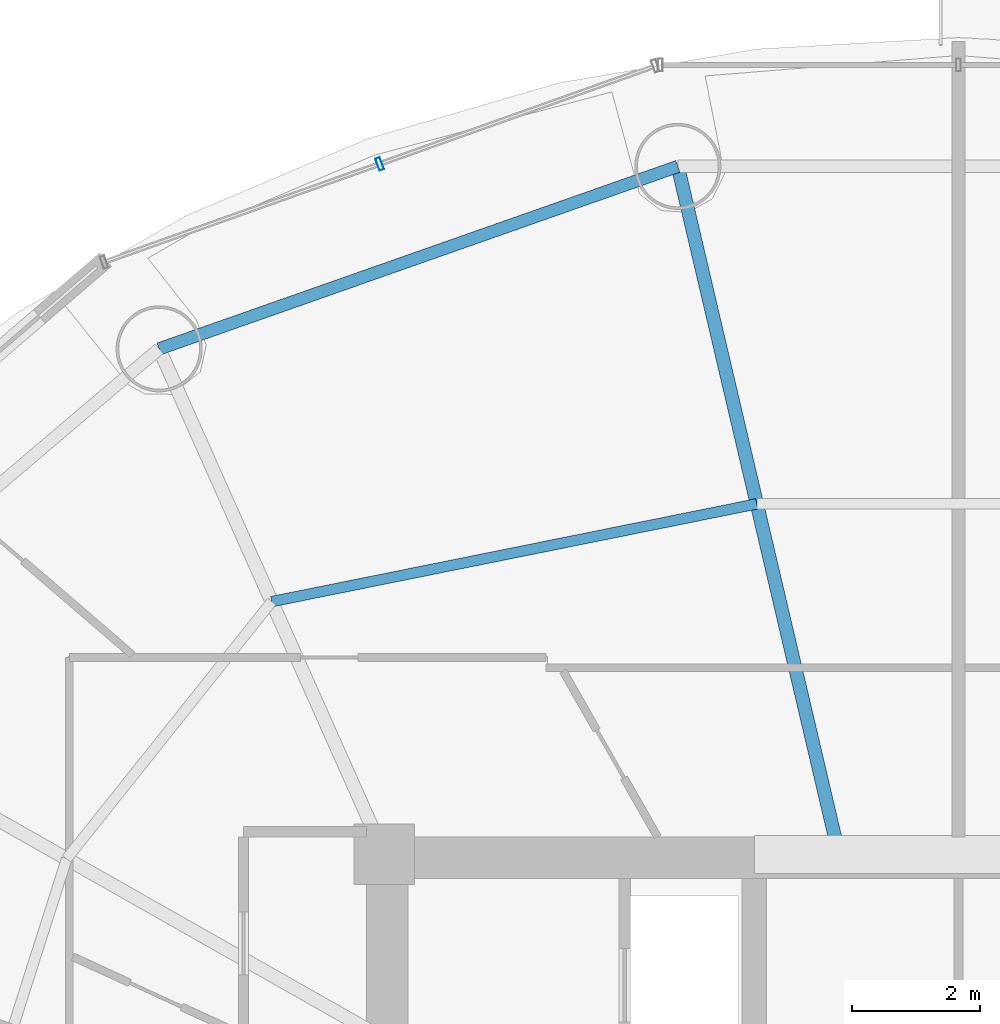
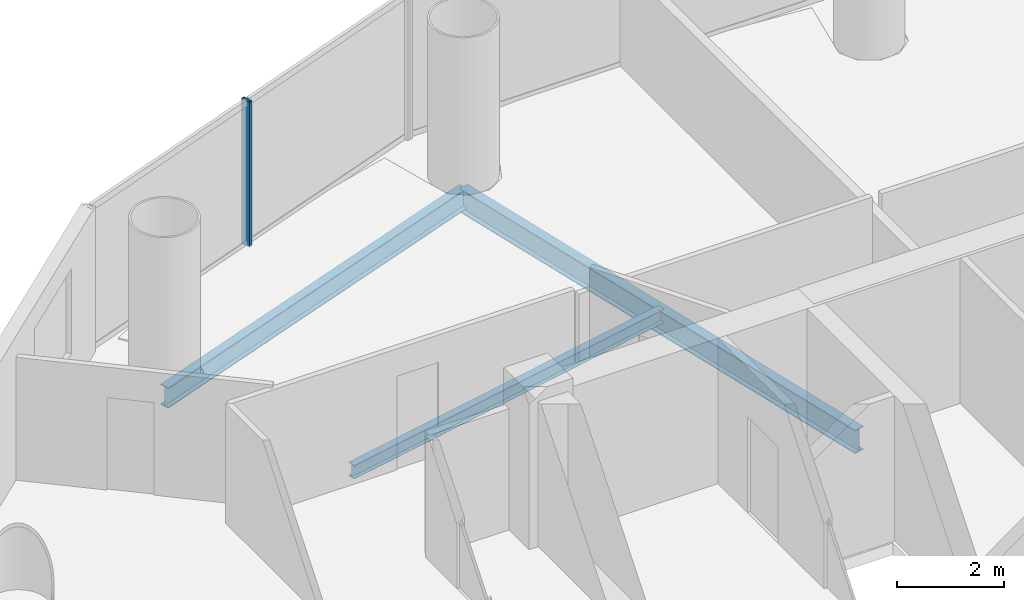
# One storey, part 14 of 26: 3 beams, 1 member, 1 element without a shape of its own.
"""IFC4 building model written with IfcOpenShell, lengths in metres."""

from ifc_helpers import new_model, si_unit, direction, frame, origin, origin_2d, place, context, subcontext, project, spatial, hollow_rectangle, i_section, extrude, source, transform, mapped, material, material_profile, profile_set, type_object, element, aggregate, save


model = new_model("IFC4")

# Units and contexts
model_context = context("Model", 3, precision=1e-05, world=origin(), true_north=direction((-0.2419218956, 0.970295726276)))
body_context = subcontext(model_context, "Body", "Model", "MODEL_VIEW")
ifc_project = project(units=[si_unit("LENGTHUNIT", "METRE"), si_unit("AREAUNIT", "SQUARE_METRE"), si_unit("VOLUMEUNIT", "CUBIC_METRE"), si_unit("PLANEANGLEUNIT", "RADIAN"), si_unit("MASSUNIT", "GRAM", prefix="KILO")], contexts=[model_context])

# Site, building, storey
site_placement = place(None, origin())
site = spatial("IfcSite", under=ifc_project, at=site_placement, CompositionType="ELEMENT")
building_placement = place(site_placement, origin())
building = spatial("IfcBuilding", under=site, at=building_placement, Name="Cobrevalo Terracotta Tower", CompositionType="ELEMENT")
storey_placement = place(building_placement, frame((0.0, 0.0, 167.800048828125)))
storey = spatial("IfcBuildingStorey", under=building, at=storey_placement, Name="L44", CompositionType="ELEMENT", Elevation=167.800048828125)

# Beams
ifc_material_1 = material(Name="Steel S355", Category="steel")
ifc_material_profile_1 = material_profile(ifc_material_1, i_section(OverallWidth=0.2109375, OverallDepth=0.5390625, WebThickness=0.01171875, FlangeThickness=0.018798828125, at=origin_2d()), Name="W 530x109")
ifc_profile_set_1 = profile_set([ifc_material_profile_1], Name="Steel S355")
beam_type_1 = type_object("IfcBeamType", Name="Structural Beam W 530x109 (Steel S355)", PredefinedType="BEAM", material=ifc_profile_set_1)
beam_1_placement = place(storey_placement, frame((33.600830078125, 45.58203125, -0.53955078125), z_axis=(0.228040864186, -0.973651562039, 0.0), x_axis=(0.973651562039, 0.228040864186, 0.0)))
element("IfcBeam", 1, at=beam_1_placement, inside=storey, type_object=beam_type_1, Name="L44 radial floor girder 05", PredefinedType="BEAM", context=body_context, shape_type="SweptSolid", body=[
    extrude(i_section(OverallWidth=0.2109375, OverallDepth=0.5390625, WebThickness=0.01171875, FlangeThickness=0.018798828125, at=origin_2d()), origin(), (0.0, 0.0, 1.0), 10.86328125),
])
ifc_material_profile_2 = material_profile(ifc_material_1, i_section(OverallWidth=0.1650390625, OverallDepth=0.31005859375, WebThickness=0.005859375, FlangeThickness=0.009765625, at=origin_2d()), Name="W 310x38.7")
ifc_profile_set_2 = profile_set([ifc_material_profile_2], Name="Steel S355")
beam_type_2 = type_object("IfcBeamType", Name="Structural Joist W 310x38.7 (Steel S355)", PredefinedType="JOIST", material=ifc_profile_set_2)
beam_2_placement = place(storey_placement, frame((34.83935546875, 40.29345703125, -0.425048828125), z_axis=(-0.980293928329, -0.197544461026, 0.0), x_axis=(0.197544461026, -0.980293928329, 0.0)))
element("IfcBeam", 2, at=beam_2_placement, inside=storey, type_object=beam_type_2, Name="L44 circumferential secondary floor joist 05", PredefinedType="JOIST", context=body_context, shape_type="SweptSolid", body=[
    extrude(i_section(OverallWidth=0.1650390625, OverallDepth=0.31005859375, WebThickness=0.005859375, FlangeThickness=0.009765625, at=origin_2d()), origin(), (0.0, 0.0, 1.0), 7.75634765625),
])
ifc_material_profile_3 = material_profile(ifc_material_1, i_section(OverallWidth=0.194091796875, OverallDepth=0.468994140625, WebThickness=0.011474609375, FlangeThickness=0.0205078125, at=origin_2d()), Name="W 460x106")
ifc_profile_set_3 = profile_set([ifc_material_profile_3], Name="Steel S355")
beam_type_3 = type_object("IfcBeamType", Name="Structural Spandrel W 460x106 (Steel S355)", PredefinedType="SPANDREL", material=ifc_profile_set_3)
beam_3_placement = place(storey_placement, frame((33.600830078125, 45.58203125, -0.504638671875), z_axis=(-0.943341298492, -0.331824041565, 0.0), x_axis=(0.331824041565, -0.943341298492, 0.0)))
element("IfcBeam", 3, at=beam_3_placement, inside=storey, type_object=beam_type_3, Name="L44 perimeter ring spandrel 05", PredefinedType="SPANDREL", context=body_context, shape_type="SweptSolid", body=[
    extrude(i_section(OverallWidth=0.194091796875, OverallDepth=0.468994140625, WebThickness=0.011474609375, FlangeThickness=0.0205078125, at=origin_2d()), origin(), (0.0, 0.0, 1.0), 8.6171875),
])

# Curtain wall, member
ifc_material_2 = material(Name="Anodized aluminium", Category="aluminium")
curtain_wall_type = type_object("IfcCurtainWallType", Name="Mid-tower high-wind unitised curtain wall CW-U2", PredefinedType="NOTDEFINED", material=ifc_material_2)
curtain_wall_placement = place(storey_placement, origin())
curtain_wall = element("IfcCurtainWall", 4, at=curtain_wall_placement, inside=storey, type_object=curtain_wall_type, Name="L44 curtain wall CW-L44-S05", PredefinedType="NOTDEFINED")
ifc_material_profile_4 = material_profile(ifc_material_2, hollow_rectangle(XDim=0.074951171875, YDim=0.199951171875, WallThickness=0.0048828125, at=origin_2d()), Name="CWM 75x200")
ifc_profile_set_4 = profile_set([ifc_material_profile_4], Name="Anodized aluminium")
member_type = type_object("IfcMemberType", Name="Lower/mid tower unitised mullion 75x200", PredefinedType="MULLION", material=ifc_profile_set_4)
shared_shape = source(origin(), body_context, "Body", "SweptSolid", [
    extrude(hollow_rectangle(XDim=0.074951171875, YDim=0.199951171875, WallThickness=0.0048828125, at=origin_2d()), origin(), (0.0, 0.0, 1.0), 3.329833984375),
])
member_placement = place(storey_placement, frame((28.92822265625, 45.620361328125, 0.0), z_axis=(0.0, 0.0, 1.0), x_axis=(-0.942098428897, -0.335336473217, 0.0)))
member = element("IfcMember", 5, at=member_placement, type_object=member_type, Name="CW-L44-S05 vertical mullion 02", PredefinedType="MULLION", context=body_context, shape_type="MappedRepresentation", body=[
    mapped(shared_shape, transform((0.0, 0.0, 0.0), scale=1.0)),
])
aggregate(curtain_wall, [member])

save(model, "model.ifc")
